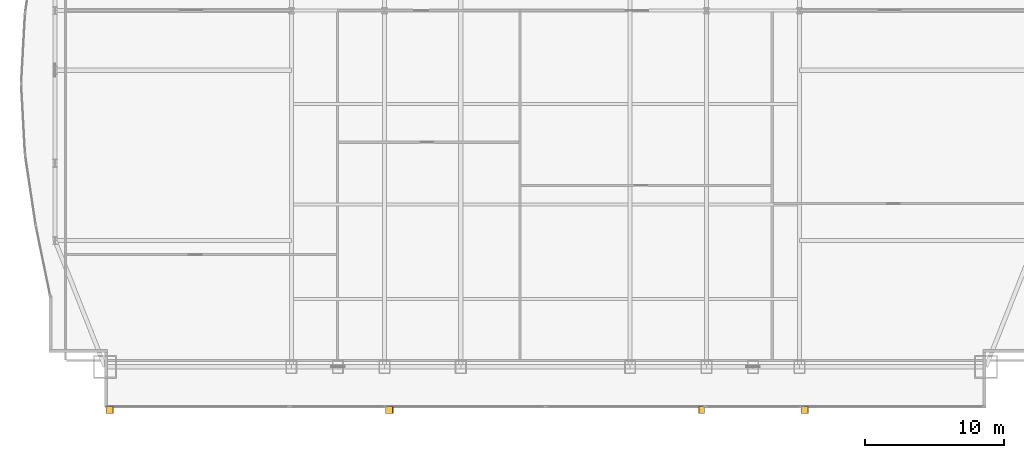
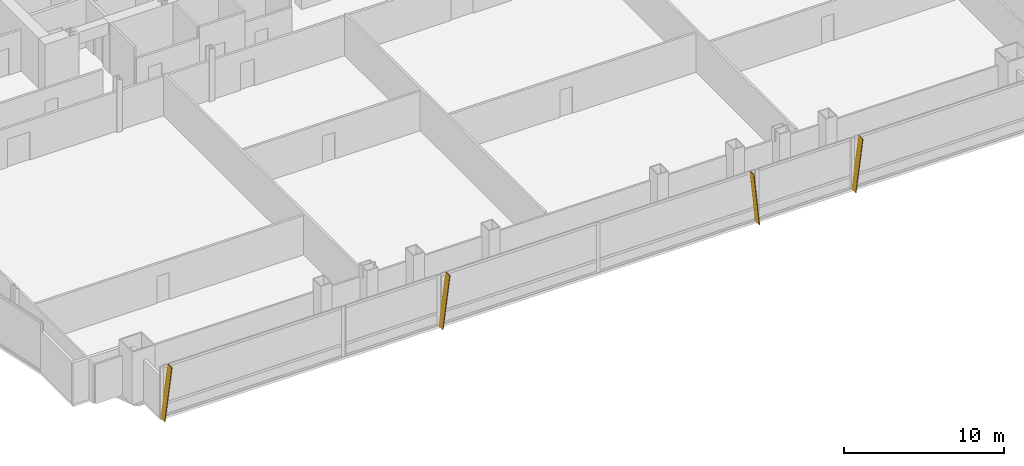
# One storey, part 35 of 36: 4 shading devices.
"""IFC4 building model written with IfcOpenShell, lengths in metres."""

from ifc_helpers import new_model, si_unit, direction, frame, origin, place, context, subcontext, project, spatial, polyline, outline, extrude, material, layer, layer_set, type_object, element, save


model = new_model("IFC4")

# Units and contexts
model_context = context("Model", 3, precision=1e-05, world=origin(), true_north=direction((0.0, 1.0)))
body_context = subcontext(model_context, "Body", "Model", "MODEL_VIEW")
ifc_project = project(units=[si_unit("LENGTHUNIT", "METRE"), si_unit("AREAUNIT", "SQUARE_METRE"), si_unit("VOLUMEUNIT", "CUBIC_METRE"), si_unit("PLANEANGLEUNIT", "RADIAN"), si_unit("MASSUNIT", "GRAM", prefix="KILO")], contexts=[model_context])

# Site, building, storey
site_placement = place(None, origin())
site = spatial("IfcSite", under=ifc_project, at=site_placement, CompositionType="ELEMENT")
building_placement = place(site_placement, origin())
building = spatial("IfcBuilding", under=site, at=building_placement, Name="Khoronbel Lancet Exchange", CompositionType="ELEMENT")
storey_placement = place(building_placement, frame((0.0, 0.0, 57.800048828125)))
storey = spatial("IfcBuildingStorey", under=building, at=storey_placement, Name="L13", CompositionType="ELEMENT", Elevation=57.800048828125)

# Shading devices
ifc_material = material(Name="Bronze-Anodised Aluminium 6063-T6", Category="aluminium")
ifc_layer = layer(ifc_material, 0.054931640625, Name="Bronze-Anodised Aluminium 6063-T6")
ifc_layer_set = layer_set([ifc_layer], Name="Bronze-Anodised Aluminium 6063-T6")
shading_device_type = type_object("IfcShadingDeviceType", Name="SHD-FIN1", PredefinedType="USERDEFINED", material=ifc_layer_set)
for number, where, z_axis, x_axis, name in (
    (1, (4.91259765625, 7.31005859375, -0.080078125), (-0.991889216598, 0.0, 0.127105397195), (0.0, -1.0, 0.0), "Slanted bronze solar fin CW-L13-SWV-0"),
    (2, (24.972412109375, 7.31005859375, -0.080078125), (-0.991881465906, 0.0, 0.127165866462), (0.0, -1.0, 0.0), "Slanted bronze solar fin CW-L13-SCV-0"),
):
    element("IfcShadingDevice", number, at=place(storey_placement, frame(where, z_axis=z_axis, x_axis=x_axis)), inside=storey, type_object=shading_device_type, Name=name, ObjectType="FIN", PredefinedType="USERDEFINED", context=body_context, shape_type="SweptSolid", body=[
        extrude(outline(polyline([(0.0, 0.0), (0.52001953125, 0.0), (0.52001953125, 3.97216796875), (0.0, 3.97216796875), (0.0, 0.0)])), origin(), (0.0, 0.0, -1.0), 0.054931640625),
    ])
shading_device_1_placement = place(storey_placement, frame((47.87255859375, 7.31005859375, -0.080078125), z_axis=(0.995011517869, 0.0, 0.099760108806), x_axis=(0.0, -1.0, 0.0)))
element("IfcShadingDevice", 3, at=shading_device_1_placement, inside=storey, type_object=shading_device_type, Name="Slanted bronze solar fin CW-L13-SCV-2", ObjectType="FIN", PredefinedType="USERDEFINED", context=body_context, shape_type="SweptSolid", body=[
    extrude(outline(polyline([(0.0, 0.0), (0.52001953125, 0.0), (0.52001953125, -3.959716796875), (0.0, -3.959716796875), (0.0, 0.0)])), origin(), (0.0, 0.0, -1.0), 0.054931640625),
])
shading_device_2_placement = place(storey_placement, frame((54.7724609375, 7.31005859375, -0.080078125), z_axis=(-0.991881465906, 0.0, 0.127165866462), x_axis=(0.0, -1.0, 0.0)))
element("IfcShadingDevice", 4, at=shading_device_2_placement, inside=storey, type_object=shading_device_type, Name="Slanted bronze solar fin CW-L13-SEV-0", ObjectType="FIN", PredefinedType="USERDEFINED", context=body_context, shape_type="SweptSolid", body=[
    extrude(outline(polyline([(0.0, 0.0), (0.52001953125, 0.0), (0.52001953125, 3.97216796875), (0.0, 3.97216796875), (0.0, 0.0)])), origin(), (0.0, 0.0, -1.0), 0.054931640625),
])

save(model, "model.ifc")
